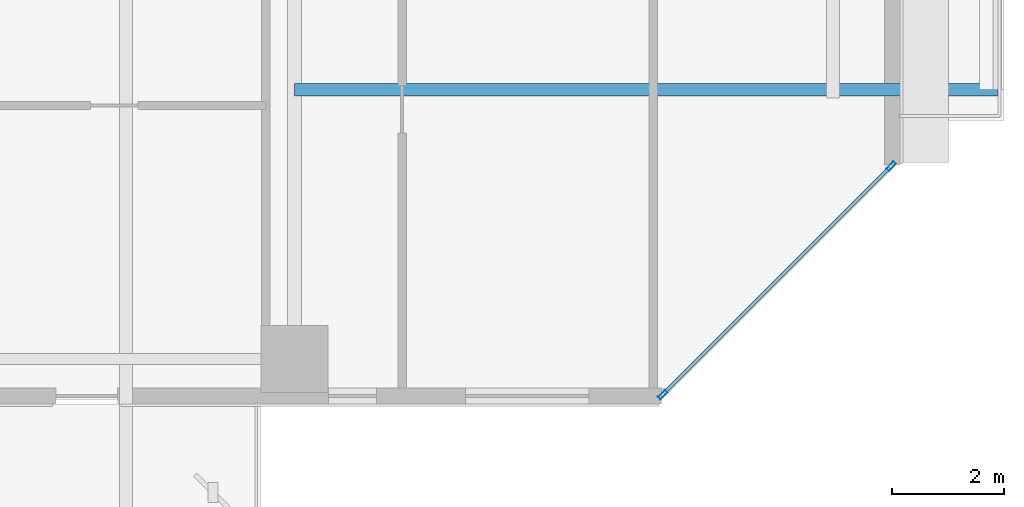
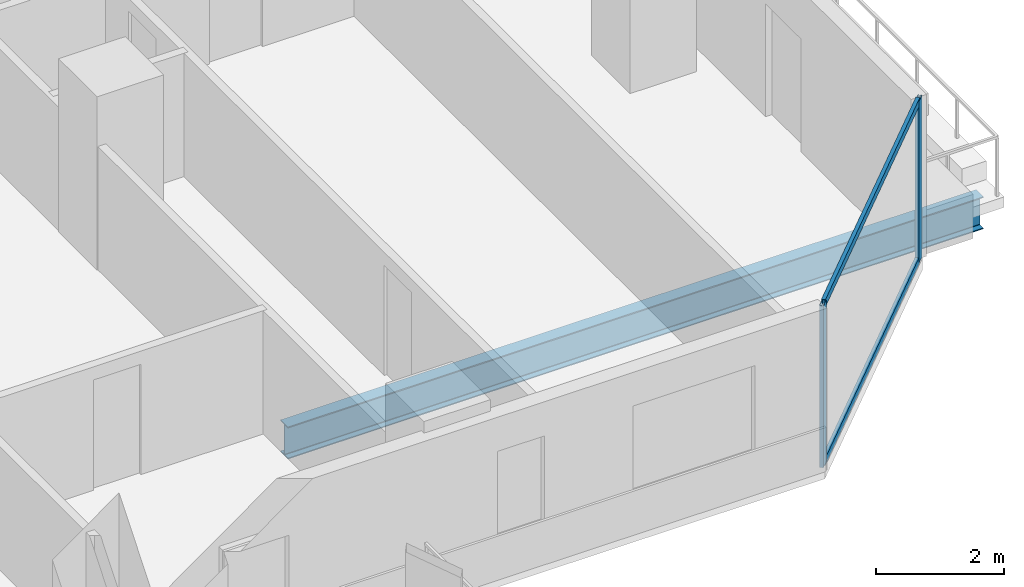
# One storey, part 13 of 33: 4 members, 1 beam, 1 element without a shape of its own.
"""IFC4 building model written with IfcOpenShell, lengths in metres."""

from ifc_helpers import new_model, si_unit, direction, frame, origin, origin_2d, place, context, subcontext, project, spatial, hollow_rectangle, i_section, extrude, material, layer, layer_set, material_profile, profile_set, type_object, element, aggregate, save


model = new_model("IFC4")

# Units and contexts
model_context = context("Model", 3, precision=1e-05, world=origin(), true_north=direction((0.0, 1.0)))
body_context = subcontext(model_context, "Body", "Model", "MODEL_VIEW")
ifc_project = project(units=[si_unit("LENGTHUNIT", "METRE"), si_unit("AREAUNIT", "SQUARE_METRE"), si_unit("VOLUMEUNIT", "CUBIC_METRE"), si_unit("PLANEANGLEUNIT", "RADIAN"), si_unit("MASSUNIT", "GRAM", prefix="KILO")], contexts=[model_context])

# Site, building, storey
site_placement = place(None, origin())
site = spatial("IfcSite", under=ifc_project, at=site_placement, CompositionType="ELEMENT")
building_placement = place(site_placement, origin())
building = spatial("IfcBuilding", under=site, at=building_placement, Name="Tanjung Sevakor Pilgrim Tower", CompositionType="ELEMENT")
storey_placement = place(building_placement, frame((0.0, 0.0, 35.639892578125)))
storey = spatial("IfcBuildingStorey", under=building, at=storey_placement, Name="L09", CompositionType="ELEMENT", Elevation=35.639892578125)

# Beam
ifc_material_1 = material(Name="Steel S355J2", Category="steel")
ifc_material_profile_1 = material_profile(ifc_material_1, i_section(OverallWidth=0.22900390625, OverallDepth=0.6123046875, WebThickness=0.011962890625, FlangeThickness=0.01953125, FilletRadius=0.0126953125, at=origin_2d()))
ifc_profile_set_1 = profile_set([ifc_material_profile_1], Name="Steel S355J2")
beam_type = type_object("IfcBeamType", Name="BM-B-G4-UB_610x229x125", PredefinedType="BEAM", material=ifc_profile_set_1)
beam_placement = place(storey_placement, frame((90.0, 13.199951171875, -0.52587890625), z_axis=(1.0, 0.0, 0.0), x_axis=(0.0, 1.0, 0.0)))
element("IfcBeam", 1, at=beam_placement, inside=storey, type_object=beam_type, Name="L09 Balcony Overhanging Beam MAIN-E1-1", PredefinedType="BEAM", context=body_context, shape_type="SweptSolid", body=[
    extrude(i_section(OverallWidth=0.22900390625, OverallDepth=0.6123046875, WebThickness=0.011962890625, FlangeThickness=0.01953125, FilletRadius=0.0126953125, at=origin_2d()), origin(), (0.0, 0.0, 1.0), 12.530029296875),
])

# Curtain wall, members
ifc_material_2 = material(Name="Aluminium 6063-T6 and Low-E Glass", Category="aluminium")
ifc_layer = layer(ifc_material_2, 0.179931640625)
ifc_layer_set = layer_set([ifc_layer], Name="CW-SYS-CHAM")
curtain_wall_type = type_object("IfcCurtainWallType", Name="CW-SYS-CHAM", PredefinedType="NOTDEFINED", material=ifc_layer_set)
curtain_wall_placement = place(storey_placement, origin())
curtain_wall = element("IfcCurtainWall", 2, at=curtain_wall_placement, inside=storey, type_object=curtain_wall_type, Name="L09 Curtain Wall CW-CHM-L09-MAIN-5", PredefinedType="NOTDEFINED")
ifc_material_3 = material(Name="Aluminium 6063-T6", Category="aluminium")
ifc_material_profile_2 = material_profile(ifc_material_3, hollow_rectangle(XDim=0.06494140625, YDim=0.179931640625, WallThickness=0.00390625, at=origin_2d()))
ifc_profile_set_2 = profile_set([ifc_material_profile_2], Name="Aluminium 6063-T6")
member_type_1 = type_object("IfcMemberType", Name="TYPE-CWM-1", PredefinedType="MULLION", material=ifc_profile_set_2)
member_1_placement = place(storey_placement, frame((96.56494140625, 7.762939453125, 0.0), z_axis=(0.0, 0.0, 1.0), x_axis=(-0.707106781187, 0.707106781187, 0.0)))
member_1 = element("IfcMember", 3, at=member_1_placement, type_object=member_type_1, Name="CW-CHM mullion 1", PredefinedType="MULLION", context=body_context, shape_type="SweptSolid", body=[
    extrude(hollow_rectangle(XDim=0.06494140625, YDim=0.179931640625, WallThickness=0.00390625, at=origin_2d()), origin(), (0.0, 0.0, 1.0), 3.080078125),
])
member_2_placement = place(storey_placement, frame((100.636962890625, 11.8349609375, 0.0), z_axis=(0.0, 0.0, 1.0), x_axis=(-0.707106781187, 0.707106781187, 0.0)))
member_2 = element("IfcMember", 4, at=member_2_placement, type_object=member_type_1, Name="CW-CHM mullion 2", PredefinedType="MULLION", context=body_context, shape_type="SweptSolid", body=[
    extrude(hollow_rectangle(XDim=0.06494140625, YDim=0.179931640625, WallThickness=0.00390625, at=origin_2d()), origin(), (0.0, 0.0, 1.0), 3.080078125),
])
ifc_material_4 = material(Name="Aluminium 6063-T6", Category="aluminium")
ifc_material_profile_3 = material_profile(ifc_material_4, hollow_rectangle(XDim=0.06494140625, YDim=0.139892578125, WallThickness=0.00390625, at=origin_2d()))
ifc_profile_set_3 = profile_set([ifc_material_profile_3], Name="Aluminium 6063-T6")
member_type_2 = type_object("IfcMemberType", Name="TYPE-CWT-1", PredefinedType="USERDEFINED", material=ifc_profile_set_3)
member_3_placement = place(storey_placement, frame((96.587890625, 7.785888671875, 0.03271484375), z_axis=(0.707106781187, 0.707106781187, 0.0), x_axis=(-0.707106781187, 0.707106781187, 0.0)))
member_3 = element("IfcMember", 5, at=member_3_placement, type_object=member_type_2, Name="CW-CHM transom 1.1", ObjectType="TRANSOM", PredefinedType="USERDEFINED", context=body_context, shape_type="SweptSolid", body=[
    extrude(hollow_rectangle(XDim=0.06494140625, YDim=0.139892578125, WallThickness=0.00390625, at=origin_2d()), origin(), (0.0, 0.0, 1.0), 5.69384765625),
])
member_4_placement = place(storey_placement, frame((96.587890625, 7.785888671875, 3.047607421875), z_axis=(0.707106781187, 0.707106781187, 0.0), x_axis=(-0.707106781187, 0.707106781187, 0.0)))
member_4 = element("IfcMember", 6, at=member_4_placement, type_object=member_type_2, Name="CW-CHM transom 1.2", ObjectType="TRANSOM", PredefinedType="USERDEFINED", context=body_context, shape_type="SweptSolid", body=[
    extrude(hollow_rectangle(XDim=0.06494140625, YDim=0.139892578125, WallThickness=0.00390625, at=origin_2d()), origin(), (0.0, 0.0, 1.0), 5.69384765625),
])
aggregate(curtain_wall, [member_1, member_2, member_3, member_4])

save(model, "model.ifc")
